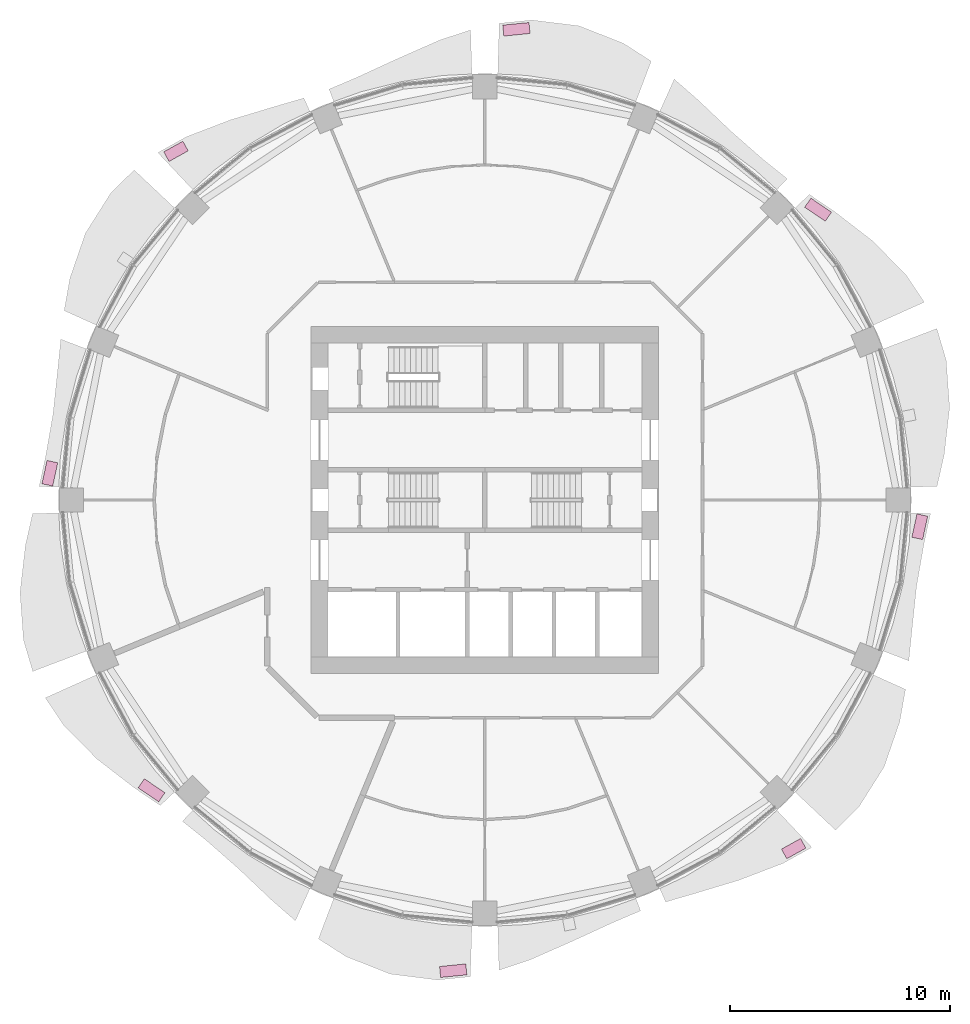
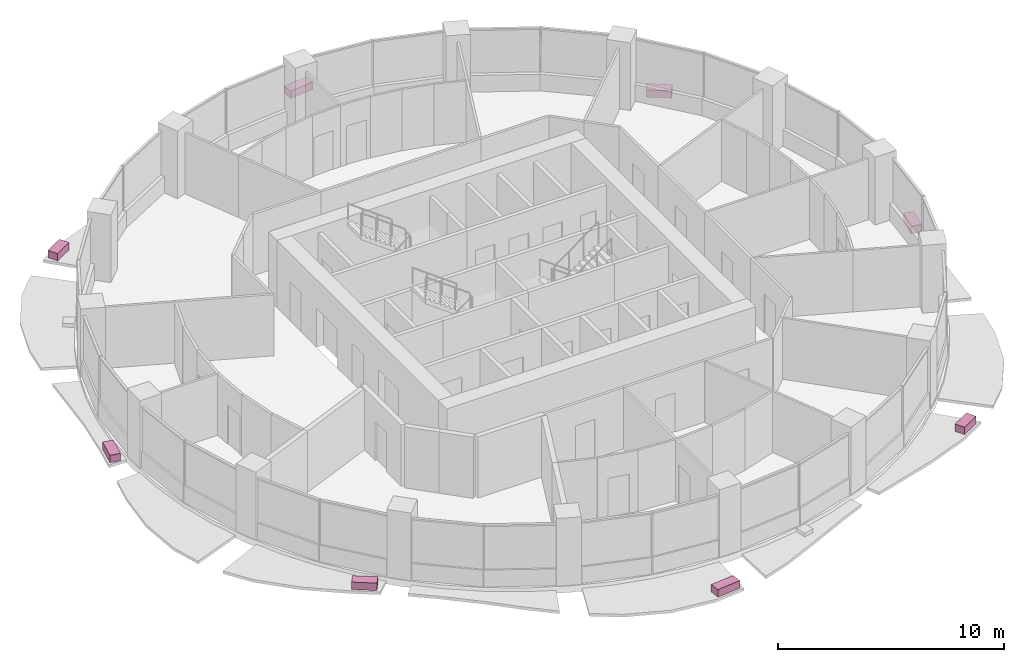
# One storey, part 14 of 14: 8 furniture elements.
"""IFC4 building model written with IfcOpenShell, lengths in metres."""

from ifc_helpers import new_model, si_unit, direction, frame, origin, origin_2d, place, context, subcontext, project, spatial, rectangle, extrude, material, type_object, element, save


model = new_model("IFC4")

# Units and contexts
model_context = context("Model", 3, precision=1e-05, world=origin(), true_north=direction((0.0, 1.0)))
body_context = subcontext(model_context, "Body", "Model", "MODEL_VIEW")
ifc_project = project(units=[si_unit("LENGTHUNIT", "METRE"), si_unit("AREAUNIT", "SQUARE_METRE"), si_unit("VOLUMEUNIT", "CUBIC_METRE"), si_unit("PLANEANGLEUNIT", "RADIAN"), si_unit("MASSUNIT", "GRAM", prefix="KILO")], contexts=[model_context])

# Site, building, storey
site_placement = place(None, origin())
site = spatial("IfcSite", under=ifc_project, at=site_placement, CompositionType="ELEMENT")
building_placement = place(site_placement, origin())
building = spatial("IfcBuilding", under=site, at=building_placement, Name="Polderwave Tower", CompositionType="ELEMENT")
storey_placement = place(building_placement, frame((0.0, 0.0, 91.0)))
storey = spatial("IfcBuildingStorey", under=building, at=storey_placement, Name="L23", CompositionType="ELEMENT", Elevation=91.0)

# Furniture
ifc_material = material(Name="Terracotta", Category="masonry")
furniture_type = type_object("IfcFurnitureType", Name="Terracotta planting trough", AssemblyPlace="NOTDEFINED", PredefinedType="USERDEFINED", material=ifc_material)
furniture_1_placement = place(storey_placement, frame((15.11767578125, 13.1669921875, -0.199951171875), z_axis=(0.0, 0.0, 1.0), x_axis=(-0.826739026584, 0.56258562186, 0.0)))
element("IfcFurniture", 1, at=furniture_1_placement, inside=storey, type_object=furniture_type, Name="Planting trough L23 2", ObjectType="PLANTER", PredefinedType="USERDEFINED", context=body_context, shape_type="SweptSolid", body=[
    extrude(rectangle(XDim=1.13134765625, YDim=0.5, at=origin_2d()), origin(), (0.0, 0.0, 1.0), 0.39990234375),
])
furniture_2_placement = place(storey_placement, frame((1.43359375, 21.349853515625, -0.199951171875), z_axis=(0.0, 0.0, 1.0), x_axis=(-0.995080327399, -0.099071398611, 0.0)))
element("IfcFurniture", 2, at=furniture_2_placement, inside=storey, type_object=furniture_type, Name="Planting trough L23 4", ObjectType="PLANTER", PredefinedType="USERDEFINED", context=body_context, shape_type="SweptSolid", body=[
    extrude(rectangle(XDim=1.1982421875, YDim=0.5, at=origin_2d()), origin(), (0.0, 0.0, 1.0), 0.39990234375),
])
furniture_3_placement = place(storey_placement, frame((-14.010009765625, 15.814208984375, -0.199951171875), z_axis=(0.0, 0.0, 1.0), x_axis=(-0.874123404467, -0.485703895149, 0.0)))
element("IfcFurniture", 3, at=furniture_3_placement, inside=storey, type_object=furniture_type, Name="Planting trough L23 6", ObjectType="PLANTER", PredefinedType="USERDEFINED", context=body_context, shape_type="SweptSolid", body=[
    extrude(rectangle(XDim=0.993896484375, YDim=0.5, at=origin_2d()), origin(), (0.0, 0.0, 1.0), 0.39990234375),
])
furniture_4_placement = place(storey_placement, frame((-19.7294921875, 1.212890625, -0.199951171875), z_axis=(0.0, 0.0, 1.0), x_axis=(-0.210737924485, -0.977542596097, 0.0)))
element("IfcFurniture", 4, at=furniture_4_placement, inside=storey, type_object=furniture_type, Name="Planting trough L23 8", ObjectType="PLANTER", PredefinedType="USERDEFINED", context=body_context, shape_type="SweptSolid", body=[
    extrude(rectangle(XDim=1.08251953125, YDim=0.5, at=origin_2d()), origin(), (0.0, 0.0, 1.0), 0.39990234375),
])
furniture_5_placement = place(storey_placement, frame((-15.11767578125, -13.1669921875, -0.199951171875), z_axis=(0.0, 0.0, 1.0), x_axis=(0.826739026584, -0.56258562186, 0.0)))
element("IfcFurniture", 5, at=furniture_5_placement, inside=storey, type_object=furniture_type, Name="Planting trough L23 10", ObjectType="PLANTER", PredefinedType="USERDEFINED", context=body_context, shape_type="SweptSolid", body=[
    extrude(rectangle(XDim=1.13134765625, YDim=0.5, at=origin_2d()), origin(), (0.0, 0.0, 1.0), 0.39990234375),
])
furniture_6_placement = place(storey_placement, frame((-1.43359375, -21.349853515625, -0.199951171875), z_axis=(0.0, 0.0, 1.0), x_axis=(0.995080327399, 0.099071398611, 0.0)))
element("IfcFurniture", 6, at=furniture_6_placement, inside=storey, type_object=furniture_type, Name="Planting trough L23 12", ObjectType="PLANTER", PredefinedType="USERDEFINED", context=body_context, shape_type="SweptSolid", body=[
    extrude(rectangle(XDim=1.1982421875, YDim=0.5, at=origin_2d()), origin(), (0.0, 0.0, 1.0), 0.39990234375),
])
furniture_7_placement = place(storey_placement, frame((14.010009765625, -15.814208984375, -0.199951171875), z_axis=(0.0, 0.0, 1.0), x_axis=(0.874123404467, 0.485703895149, 0.0)))
element("IfcFurniture", 7, at=furniture_7_placement, inside=storey, type_object=furniture_type, Name="Planting trough L23 14", ObjectType="PLANTER", PredefinedType="USERDEFINED", context=body_context, shape_type="SweptSolid", body=[
    extrude(rectangle(XDim=0.993896484375, YDim=0.5, at=origin_2d()), origin(), (0.0, 0.0, 1.0), 0.39990234375),
])
furniture_8_placement = place(storey_placement, frame((19.7294921875, -1.212890625, -0.199951171875), z_axis=(0.0, 0.0, 1.0), x_axis=(0.210737924485, 0.977542596097, 0.0)))
element("IfcFurniture", 8, at=furniture_8_placement, inside=storey, type_object=furniture_type, Name="Planting trough L23 16", ObjectType="PLANTER", PredefinedType="USERDEFINED", context=body_context, shape_type="SweptSolid", body=[
    extrude(rectangle(XDim=1.08251953125, YDim=0.5, at=origin_2d()), origin(), (0.0, 0.0, 1.0), 0.39990234375),
])

save(model, "model.ifc")
